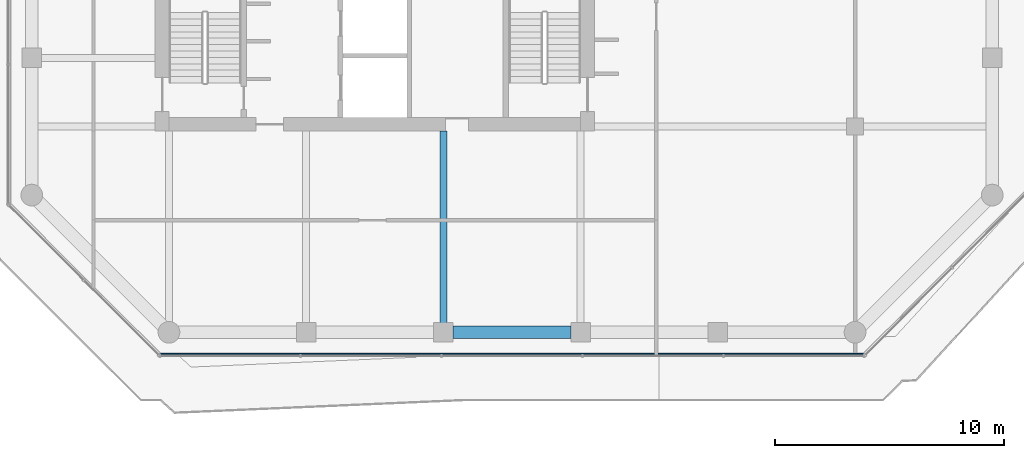
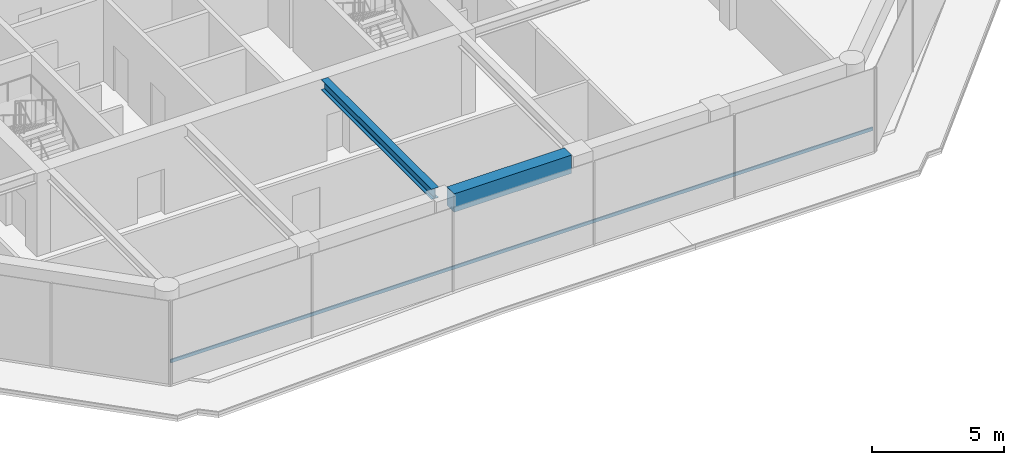
# One storey, part 3 of 21: 2 beams, 1 member, 1 element without a shape of its own.
"""IFC4 building model written with IfcOpenShell, lengths in metres."""

from ifc_helpers import new_model, si_unit, direction, frame, origin, origin_2d, place, context, subcontext, project, spatial, rectangle, i_section, extrude, material, layer, layer_set, material_profile, profile_set, type_object, element, aggregate, save


model = new_model("IFC4")

# Units and contexts
model_context = context("Model", 3, precision=1e-05, world=origin(), true_north=direction((0.0, 1.0)))
body_context = subcontext(model_context, "Body", "Model", "MODEL_VIEW")
ifc_project = project(units=[si_unit("LENGTHUNIT", "METRE"), si_unit("AREAUNIT", "SQUARE_METRE"), si_unit("VOLUMEUNIT", "CUBIC_METRE"), si_unit("PLANEANGLEUNIT", "RADIAN"), si_unit("MASSUNIT", "GRAM", prefix="KILO")], contexts=[model_context])

# Site, building, storey
site_placement = place(None, origin())
site = spatial("IfcSite", under=ifc_project, at=site_placement, CompositionType="ELEMENT")
building_placement = place(site_placement, origin())
building = spatial("IfcBuilding", under=site, at=building_placement, Name="Welwitschia Terrace Campus", CompositionType="ELEMENT")
storey_placement = place(building_placement, frame((0.0, 0.0, 180.199951171875)))
storey = spatial("IfcBuildingStorey", under=building, at=storey_placement, Name="L40", CompositionType="ELEMENT", Elevation=180.199951171875)

# Beams
ifc_material_1 = material(Name="Steel S355", Category="steel")
ifc_material_profile_1 = material_profile(ifc_material_1, i_section(OverallWidth=0.300048828125, OverallDepth=0.489990234375, WebThickness=0.011962890625, FlangeThickness=0.02294921875, FilletRadius=0.027099609375, at=origin_2d()))
ifc_profile_set_1 = profile_set([ifc_material_profile_1], Name="Steel S355")
beam_type_1 = type_object("IfcBeamType", Name="Interior girder HE 500 A", PredefinedType="BEAM", material=ifc_profile_set_1)
beam_1_placement = place(storey_placement, frame((18.0, -3.58447265625, 3.60498046875), z_axis=(0.0, 1.0, 0.0), x_axis=(-1.0, 0.0, 0.0)))
element("IfcBeam", 1, at=beam_1_placement, inside=storey, type_object=beam_type_1, Name="Girder GB4", PredefinedType="BEAM", context=body_context, shape_type="SweptSolid", body=[
    extrude(i_section(OverallWidth=0.300048828125, OverallDepth=0.489990234375, WebThickness=0.011962890625, FlangeThickness=0.02294921875, FilletRadius=0.027099609375, at=origin_2d()), origin(), (0.0, 0.0, 1.0), 8.383544921875),
])
ifc_material_2 = material(Name="Concrete C50/60", Category="concrete")
ifc_material_profile_2 = material_profile(ifc_material_2, rectangle(XDim=0.550048828125, YDim=0.85009765625, at=origin_2d()))
ifc_profile_set_2 = profile_set([ifc_material_profile_2], Name="Concrete C50/60")
beam_type_2 = type_object("IfcBeamType", Name="Ring spandrel 550x850", PredefinedType="SPANDREL", material=ifc_profile_set_2)
beam_2_placement = place(storey_placement, frame((18.425537109375, -4.0, 3.425048828125), z_axis=(1.0, 0.0, 0.0), x_axis=(0.0, 1.0, 0.0)))
element("IfcBeam", 2, at=beam_2_placement, inside=storey, type_object=beam_type_2, Name="Spandrel SP3", PredefinedType="SPANDREL", context=body_context, shape_type="SweptSolid", body=[
    extrude(rectangle(XDim=0.550048828125, YDim=0.85009765625, at=origin_2d()), origin(), (0.0, 0.0, 1.0), 5.14892578125),
])

# Curtain wall, member
ifc_material_3 = material(Name="Bronze anodised aluminium", Category="aluminium")
ifc_layer = layer(ifc_material_3, 0.1201171875)
ifc_layer_set = layer_set([ifc_layer], Name="Bronze anodised aluminium")
curtain_wall_type = type_object("IfcCurtainWallType", Name="Curtain wall CW2 tower 6000", PredefinedType="NOTDEFINED", material=ifc_layer_set)
curtain_wall_placement = place(storey_placement, origin())
curtain_wall = element("IfcCurtainWall", 3, at=curtain_wall_placement, inside=storey, type_object=curtain_wall_type, Name="CW L40.1.0", PredefinedType="NOTDEFINED")
ifc_material_4 = material(Name="Bronze anodised aluminium", Category="aluminium")
ifc_material_profile_3 = material_profile(ifc_material_4, rectangle(XDim=0.06005859375, YDim=0.14990234375, at=origin_2d()))
ifc_profile_set_3 = profile_set([ifc_material_profile_3], Name="Bronze anodised aluminium")
member_type = type_object("IfcMemberType", Name="Transom 60x150", PredefinedType="USERDEFINED", material=ifc_profile_set_3)
member_placement = place(storey_placement, frame((5.63330078125, -4.93994140625, 1.0), z_axis=(1.0, 0.0, 0.0), x_axis=(0.0, 1.0, 0.0)))
member = element("IfcMember", 4, at=member_placement, type_object=member_type, Name="Transom L40.1.0", ObjectType="TRANSOM", PredefinedType="USERDEFINED", context=body_context, shape_type="SweptSolid", body=[
    extrude(rectangle(XDim=0.06005859375, YDim=0.14990234375, at=origin_2d()), origin(), (0.0, 0.0, 1.0), 30.7333984375),
])
aggregate(curtain_wall, [member])

save(model, "model.ifc")
